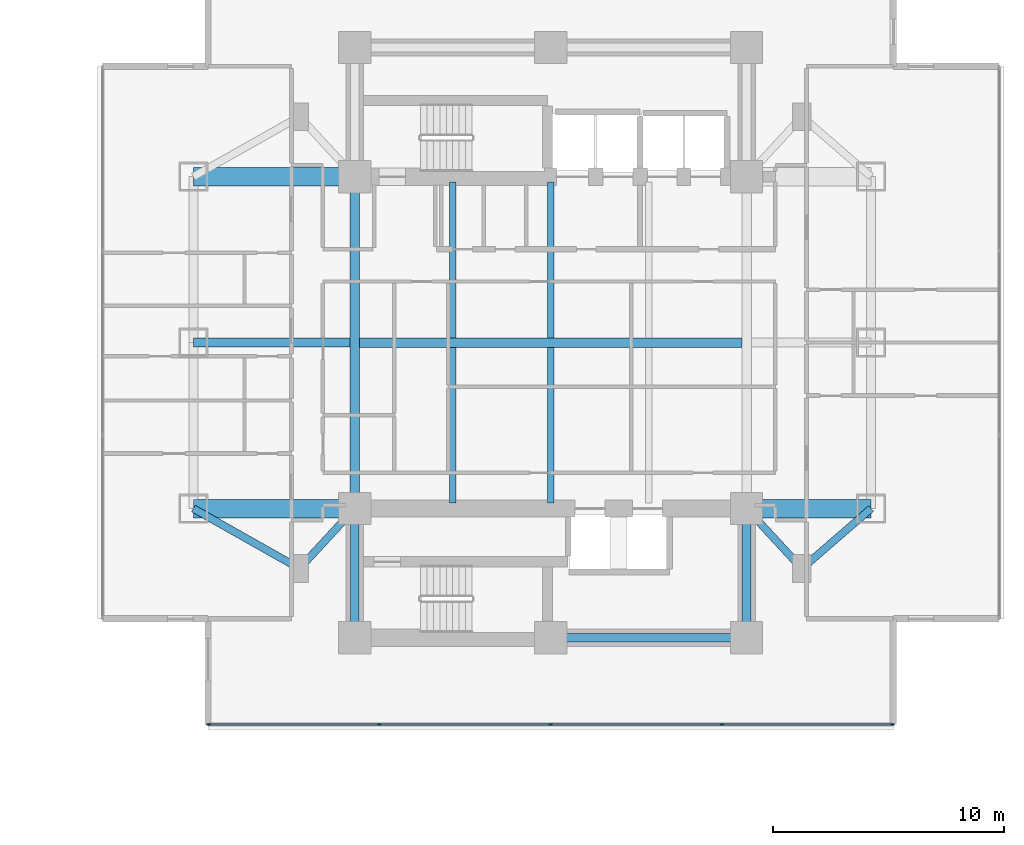
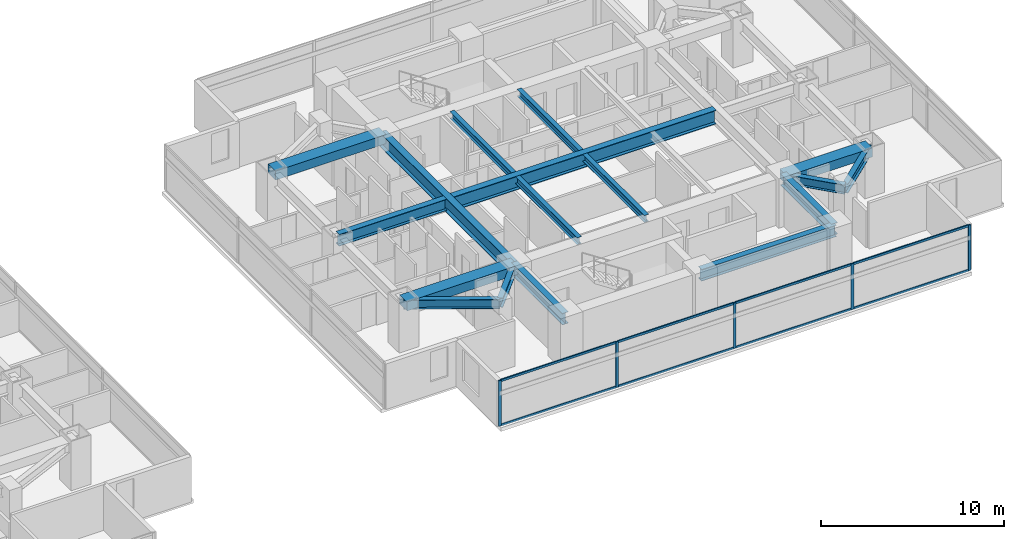
# One storey, part 9 of 26: 17 beams, 13 members, 1 element without a shape of its own.
"""IFC4 building model written with IfcOpenShell, lengths in metres."""

import ifcopenshell
import ifcopenshell.guid

model = None  # the IFC model being written
_history = None  # IfcOwnerHistory: only IFC2X3 demands one
_inside = {}  # id of a spatial element -> (the spatial element, [elements in it])
_under = {}  # id of a project, library or spatial element -> (it, [spatial elements below it])
_declared = {}  # id of a project -> (the project, [libraries it declares])
_typed = {}  # id of a type object -> (the type object, [elements of that type])
_made_of = {}  # id of a material, layer set ... -> (it, [elements and type objects made of it])


def new_model(schema):
    """Start an empty IFC model of exactly this schema.

    Asked for "IFC4X3", IfcOpenShell would pick the latest addendum, in which some entities
    have other attributes; the version numbers below select the first issue.
    IFC2X3 requires an IfcOwnerHistory on every rooted entity: one is made here for all.
    """
    global model, _history
    if schema == "IFC4X3":
        model = ifcopenshell.file(schema_version=(4, 3, 0, 0))
    else:
        model = ifcopenshell.file(schema=schema)
    _inside.clear()
    _under.clear()
    _declared.clear()
    _typed.clear()
    _made_of.clear()
    _history = None
    if model.schema == "IFC2X3":
        org = make("IfcOrganization", Name="unknown")
        user = make(
            "IfcPersonAndOrganization",
            ThePerson=make("IfcPerson", FamilyName="unknown"),
            TheOrganization=org,
        )
        app = make(
            "IfcApplication",
            ApplicationDeveloper=org,
            Version="unknown",
            ApplicationFullName="unknown",
            ApplicationIdentifier="unknown",
        )
        _history = make(
            "IfcOwnerHistory",
            OwningUser=user,
            OwningApplication=app,
            ChangeAction="ADDED",
            CreationDate=0,
        )
    return model


def make(cls, **values):
    """One entity of the class cls with the attributes given. An attribute that is None is left unset."""
    return model.create_entity(
        cls, **{name: value for name, value in values.items() if value is not None}
    )


def rooted(cls, **values):
    """An entity with a GlobalId (a new one), such as an element, a storey or a relation."""
    return make(cls, GlobalId=ifcopenshell.guid.new(), OwnerHistory=_history, **values)


def si_unit(unit_type, name, prefix=None):
    """IfcSIUnit, for example si_unit("LENGTHUNIT", "METRE", prefix="MILLI")."""
    return make("IfcSIUnit", UnitType=unit_type, Prefix=prefix, Name=name)


def assignment(units):
    """IfcUnitAssignment: the units of a project."""
    return None if units is None else make("IfcUnitAssignment", Units=units)


def point(xyz):
    """IfcCartesianPoint."""
    return None if xyz is None else make("IfcCartesianPoint", Coordinates=xyz)


def direction(xyz):
    """IfcDirection."""
    return None if xyz is None else make("IfcDirection", DirectionRatios=xyz)


def frame(location, z_axis=None, x_axis=None):
    """IfcAxis2Placement3D, a coordinate frame: its origin and axes. An axis left out is left unset."""
    return make(
        "IfcAxis2Placement3D",
        Location=point(location),
        Axis=direction(z_axis),
        RefDirection=direction(x_axis),
    )


def frame_2d(location, x_axis=None):
    """IfcAxis2Placement2D, a coordinate frame in the plane: its origin and x axis."""
    return make(
        "IfcAxis2Placement2D", Location=point(location), RefDirection=direction(x_axis)
    )


def origin():
    """The frame at (0, 0, 0) with its axes left unset."""
    return frame((0.0, 0.0, 0.0))


def origin_2d():
    """The frame at (0, 0) in the plane with its x axis left unset."""
    return frame_2d((0.0, 0.0))


def place(relative_to, where):
    """IfcLocalPlacement: puts the frame where relative to a parent placement (None: the world)."""
    return make(
        "IfcLocalPlacement", PlacementRelTo=relative_to, RelativePlacement=where
    )


def context(
    kind, dimensions, precision=None, world=None, true_north=None, identifier=None
):
    """IfcGeometricRepresentationContext, for example the 3D "Model" context."""
    return make(
        "IfcGeometricRepresentationContext",
        ContextIdentifier=identifier,
        ContextType=kind,
        CoordinateSpaceDimension=dimensions,
        Precision=precision,
        WorldCoordinateSystem=world,
        TrueNorth=true_north,
    )


def subcontext(parent, identifier, kind, view, scale=None):
    """IfcGeometricRepresentationSubContext, for example "Body" below "Model"."""
    return make(
        "IfcGeometricRepresentationSubContext",
        ContextIdentifier=identifier,
        ContextType=kind,
        ParentContext=parent,
        TargetScale=scale,
        TargetView=view,
    )


def project(units=None, contexts=None):
    """IfcProject with its units and contexts."""
    return rooted(
        "IfcProject",
        Name="project",
        RepresentationContexts=contexts,
        UnitsInContext=assignment(units),
    )


def spatial(cls, under=None, at=None, **own):
    """A site, building, storey or space (cls), placed at a placement, below another one or the project."""
    s = rooted(cls, ObjectPlacement=at, **own)
    if under is not None:
        _under.setdefault(under.id(), (under, []))[1].append(s)
    return s


def profile(cls, at=None, kind="AREA", **sizes):
    """A parametric profile (cls). Its sizes go by their IFC names, for example OverallWidth=200.0."""
    return make(cls, ProfileType=kind, Position=at, **sizes)


def rectangle(**sizes):
    """IfcRectangleProfileDef."""
    return profile("IfcRectangleProfileDef", **sizes)


def i_section(**sizes):
    """IfcIShapeProfileDef."""
    return profile("IfcIShapeProfileDef", **sizes)


def extrude(swept, where, along, depth):
    """IfcExtrudedAreaSolid: the profile swept, set in the frame where, extruded along a direction by depth."""
    return make(
        "IfcExtrudedAreaSolid",
        SweptArea=swept,
        Position=where,
        ExtrudedDirection=direction(along),
        Depth=depth,
    )


def shape(context_of_items, identifier, shape_type, items):
    """IfcShapeRepresentation: the items that make up one representation, for example the "Body"."""
    return make(
        "IfcShapeRepresentation",
        ContextOfItems=context_of_items,
        RepresentationIdentifier=identifier,
        RepresentationType=shape_type,
        Items=items,
    )


def material(Name=None, Category=None):
    """IfcMaterial."""
    return make("IfcMaterial", Name=Name, Category=Category)


def material_profile(
    of_material, cross_section, Name=None, Category=None, Priority=None
):
    """IfcMaterialProfile: a cross section and its material."""
    return make(
        "IfcMaterialProfile",
        Name=Name,
        Material=of_material,
        Profile=cross_section,
        Priority=Priority,
        Category=Category,
    )


def profile_set(profiles, Name=None, composite=None):
    """IfcMaterialProfileSet."""
    return make(
        "IfcMaterialProfileSet",
        Name=Name,
        MaterialProfiles=profiles,
        CompositeProfile=composite,
    )


def made_of(thing, what):
    """Note that an element or type object is made of a material, layer set ...; save() writes the relation."""
    if what is not None:
        _made_of.setdefault(what.id(), (what, []))[1].append(thing)
    return thing


def type_object(cls, material=None, **own):
    """A type object (cls), such as IfcWallType, which elements share."""
    return made_of(rooted(cls, **own), material)


def element(
    cls,
    number,
    at=None,
    inside=None,
    cuts=None,
    type_object=None,
    material=None,
    context=None,
    identifier="Body",
    shape_type=None,
    held_by="IfcProductDefinitionShape",
    body=None,
    shapes=None,
    **own,
):
    """One element of the class cls, such as IfcWall. Its Tag is "e" and its number.

    at: its placement. inside: the storey or other place that contains it. cuts: it is an
    opening in that element (IfcRelVoidsElement). A single representation is given by context,
    identifier, shape_type and body (its items); several are given by shapes. held_by: the class
    of the entity that holds the representations. save() writes the other relations.
    """
    e = rooted(cls, Tag="e%d" % number, ObjectPlacement=at, **own)
    if body is not None:
        shapes = [shape(context, identifier, shape_type, body)]
    if shapes is not None:
        e.Representation = make(held_by, Representations=shapes)
    if inside is not None:
        _inside.setdefault(inside.id(), (inside, []))[1].append(e)
    if cuts is not None:
        rooted(
            "IfcRelVoidsElement", RelatingBuildingElement=cuts, RelatedOpeningElement=e
        )
    if type_object is not None:
        _typed.setdefault(type_object.id(), (type_object, []))[1].append(e)
    return made_of(e, material)


def aggregate(whole, parts):
    """IfcRelAggregates: a whole, such as a stair, and the parts it consists of."""
    return rooted("IfcRelAggregates", RelatingObject=whole, RelatedObjects=parts)


def save(model, path):
    """Write the relations noted so far, then the file.

    IfcRelAggregates (storeys below a building ...), IfcRelContainedInSpatialStructure (elements
    in a storey), IfcRelDefinesByType, IfcRelAssociatesMaterial and IfcRelDeclares: one each for
    every whole, place, type object, material and project.
    """
    for whole, parts in _under.values():
        aggregate(whole, parts)
    for where, things in _inside.values():
        rooted(
            "IfcRelContainedInSpatialStructure",
            RelatedElements=things,
            RelatingStructure=where,
        )
    for kind, things in _typed.values():
        rooted("IfcRelDefinesByType", RelatedObjects=things, RelatingType=kind)
    for what, things in _made_of.values():
        rooted("IfcRelAssociatesMaterial", RelatedObjects=things, RelatingMaterial=what)
    for by, libraries in _declared.values():
        rooted("IfcRelDeclares", RelatingContext=by, RelatedDefinitions=libraries)
    model.write(path)


model = new_model("IFC4")

# Units and contexts
model_context = context("Model", 3, precision=1e-05, world=origin(), true_north=direction((0.0, 1.0)))
body_context = subcontext(model_context, "Body", "Model", "MODEL_VIEW")
ifc_project = project(units=[si_unit("LENGTHUNIT", "METRE"), si_unit("AREAUNIT", "SQUARE_METRE"), si_unit("VOLUMEUNIT", "CUBIC_METRE"), si_unit("PLANEANGLEUNIT", "RADIAN"), si_unit("MASSUNIT", "GRAM", prefix="KILO")], contexts=[model_context])

# Site, building, storey
site_placement = place(None, origin())
site = spatial("IfcSite", under=ifc_project, at=site_placement, CompositionType="ELEMENT")
building_placement = place(site_placement, origin())
building = spatial("IfcBuilding", under=site, at=building_placement, Name="Mirazonda Arch Towers", CompositionType="ELEMENT")
storey_placement = place(building_placement, frame((0.0, 0.0, 45.5)))
storey = spatial("IfcBuildingStorey", under=building, at=storey_placement, Name="L12", CompositionType="ELEMENT", Elevation=45.5)

# Beams
ifc_material_1 = material(Name="Steel ASTM A992 Grade 50", Category="steel")
ifc_material_profile_1 = material_profile(ifc_material_1, i_section(OverallWidth=0.280029296875, OverallDepth=0.462890625, WebThickness=0.0107421875, FlangeThickness=0.017333984375, at=origin_2d()), Name="W18X76")
ifc_profile_set_1 = profile_set([ifc_material_profile_1], Name="Steel ASTM A992 Grade 50")
beam_type_1 = type_object("IfcBeamType", Name="BM-INT-W18X76", PredefinedType="JOIST", material=ifc_profile_set_1)
for number, where, z_axis, x_axis, name in (
    (1, (72.25, 21.0400390625, 2.82861328125), (0.0, 1.0, 0.0), (-1.0, 0.0, 0.0), "L12 Floor Beam BM-T2-L12-J-722-20"),
    (2, (72.25, 28.205078125, 2.82861328125), (0.0, 1.0, 0.0), (-1.0, 0.0, 0.0), "L12 Floor Beam BM-T2-L12-J-722-28"),
    (3, (76.5, 21.0400390625, 2.82861328125), (0.0, 1.0, 0.0), (-1.0, 0.0, 0.0), "L12 Floor Beam BM-T2-L12-J-765-20"),
    (4, (76.5, 28.205078125, 2.82861328125), (0.0, 1.0, 0.0), (-1.0, 0.0, 0.0), "L12 Floor Beam BM-T2-L12-J-765-28"),
):
    element("IfcBeam", number, at=place(storey_placement, frame(where, z_axis=z_axis, x_axis=x_axis)), inside=storey, type_object=beam_type_1, Name=name, PredefinedType="JOIST", context=body_context, shape_type="SweptSolid", body=[
        extrude(i_section(OverallWidth=0.280029296875, OverallDepth=0.462890625, WebThickness=0.0107421875, FlangeThickness=0.017333984375, at=origin_2d()), origin(), (0.0, 0.0, 1.0), 6.7548828125),
    ])
ifc_material_profile_2 = material_profile(ifc_material_1, i_section(OverallWidth=0.324951171875, OverallDepth=0.615966796875, WebThickness=0.013916015625, FlangeThickness=0.021484375, at=origin_2d()), Name="W24X117")
ifc_profile_set_2 = profile_set([ifc_material_profile_2], Name="Steel ASTM A992 Grade 50")
beam_type_2 = type_object("IfcBeamType", Name="BM-INT-W24X117", PredefinedType="BEAM", material=ifc_profile_set_2)
beam_1_placement = place(storey_placement, frame((65.60009765625, 18.199951171875, 2.751953125), z_axis=(0.678251444854, 0.734829897019, 0.0), x_axis=(-0.734829897019, 0.678251444854, 0.0)))
element("IfcBeam", 5, at=beam_1_placement, inside=storey, type_object=beam_type_2, Name="L12 Floor Beam BM-T2-L12-PL-SW1", PredefinedType="BEAM", context=body_context, shape_type="SweptSolid", body=[
    extrude(i_section(OverallWidth=0.324951171875, OverallDepth=0.615966796875, WebThickness=0.013916015625, FlangeThickness=0.021484375, at=origin_2d()), origin(), (0.0, 0.0, 1.0), 3.538330078125),
])
beam_2_placement = place(storey_placement, frame((65.60009765625, 18.199951171875, 2.751953125), z_axis=(-0.870559396632, 0.492063346467, 0.0), x_axis=(-0.492063346467, -0.870559396632, 0.0)))
element("IfcBeam", 6, at=beam_2_placement, inside=storey, type_object=beam_type_2, Name="L12 Floor Beam BM-T2-L12-PL-SW2", PredefinedType="BEAM", context=body_context, shape_type="SweptSolid", body=[
    extrude(i_section(OverallWidth=0.324951171875, OverallDepth=0.615966796875, WebThickness=0.013916015625, FlangeThickness=0.021484375, at=origin_2d()), origin(), (0.0, 0.0, 1.0), 5.2841796875),
])
beam_3_placement = place(storey_placement, frame((87.39990234375, 18.199951171875, 2.751953125), z_axis=(-0.678251444854, 0.734829897019, 0.0), x_axis=(-0.734829897019, -0.678251444854, 0.0)))
element("IfcBeam", 7, at=beam_3_placement, inside=storey, type_object=beam_type_2, Name="L12 Floor Beam BM-T2-L12-PL-SE1", PredefinedType="BEAM", context=body_context, shape_type="SweptSolid", body=[
    extrude(i_section(OverallWidth=0.324951171875, OverallDepth=0.615966796875, WebThickness=0.013916015625, FlangeThickness=0.021484375, at=origin_2d()), origin(), (0.0, 0.0, 1.0), 3.538330078125),
])
beam_4_placement = place(storey_placement, frame((87.39990234375, 18.199951171875, 2.751953125), z_axis=(0.755676908098, 0.654944585876, 0.0), x_axis=(-0.654944585876, 0.755676908098, 0.0)))
element("IfcBeam", 8, at=beam_4_placement, inside=storey, type_object=beam_type_2, Name="L12 Floor Beam BM-T2-L12-PL-SE2", PredefinedType="BEAM", context=body_context, shape_type="SweptSolid", body=[
    extrude(i_section(OverallWidth=0.324951171875, OverallDepth=0.615966796875, WebThickness=0.013916015625, FlangeThickness=0.021484375, at=origin_2d()), origin(), (0.0, 0.0, 1.0), 3.969970703125),
])
ifc_material_profile_3 = material_profile(ifc_material_1, i_section(OverallWidth=0.381103515625, OverallDepth=0.77294921875, WebThickness=0.0166015625, FlangeThickness=0.027099609375, at=origin_2d()), Name="W30X173")
ifc_profile_set_3 = profile_set([ifc_material_profile_3], Name="Steel ASTM A992 Grade 50")
beam_type_3 = type_object("IfcBeamType", Name="BM-INT-W30X173", PredefinedType="USERDEFINED", material=ifc_profile_set_3)
beam_5_placement = place(storey_placement, frame((76.5, 15.199951171875, 2.673583984375), z_axis=(1.0, 0.0, 0.0), x_axis=(0.0, 1.0, 0.0)))
element("IfcBeam", 9, at=beam_5_placement, inside=storey, type_object=beam_type_3, Name="L12 Floor Beam BM-T2-L12-CS2", ObjectType="GIRDER", PredefinedType="USERDEFINED", context=body_context, shape_type="SweptSolid", body=[
    extrude(i_section(OverallWidth=0.381103515625, OverallDepth=0.77294921875, WebThickness=0.0166015625, FlangeThickness=0.027099609375, at=origin_2d()), origin(), (0.0, 0.0, 1.0), 8.5),
])
for number, where, z_axis, x_axis, name in (
    (10, (68.0, 15.199951171875, 2.673583984375), (0.0, 1.0, 0.0), (-1.0, 0.0, 0.0), "L12 Floor Beam BM-T2-L12-CSW"),
    (11, (85.0, 15.199951171875, 2.673583984375), (0.0, 1.0, 0.0), (-1.0, 0.0, 0.0), "L12 Floor Beam BM-T2-L12-CSE"),
):
    element("IfcBeam", number, at=place(storey_placement, frame(where, z_axis=z_axis, x_axis=x_axis)), inside=storey, type_object=beam_type_3, Name=name, ObjectType="GIRDER", PredefinedType="USERDEFINED", context=body_context, shape_type="SweptSolid", body=[
        extrude(i_section(OverallWidth=0.381103515625, OverallDepth=0.77294921875, WebThickness=0.0166015625, FlangeThickness=0.027099609375, at=origin_2d()), origin(), (0.0, 0.0, 1.0), 5.60009765625),
    ])
beam_6_placement = place(storey_placement, frame((61.0, 28.0, 2.673583984375), z_axis=(1.0, 0.0, 0.0), x_axis=(0.0, 1.0, 0.0)))
element("IfcBeam", 12, at=beam_6_placement, inside=storey, type_object=beam_type_3, Name="L12 Floor Beam BM-T2-L12-GW2", ObjectType="GIRDER", PredefinedType="USERDEFINED", context=body_context, shape_type="SweptSolid", body=[
    extrude(i_section(OverallWidth=0.381103515625, OverallDepth=0.77294921875, WebThickness=0.0166015625, FlangeThickness=0.027099609375, at=origin_2d()), origin(), (0.0, 0.0, 1.0), 6.791015625),
])
ifc_material_profile_4 = material_profile(ifc_material_1, i_section(OverallWidth=0.41796875, OverallDepth=0.927001953125, WebThickness=0.019287109375, FlangeThickness=0.031982421875, at=origin_2d()), Name="W36X231")
ifc_profile_set_4 = profile_set([ifc_material_profile_4], Name="Steel ASTM A992 Grade 50")
beam_type_4 = type_object("IfcBeamType", Name="BM-INT-W36X231", PredefinedType="USERDEFINED", material=ifc_profile_set_4)
beam_7_placement = place(storey_placement, frame((68.208984375, 28.0, 2.596435546875), z_axis=(1.0, 0.0, 0.0), x_axis=(0.0, 1.0, 0.0)))
element("IfcBeam", 13, at=beam_7_placement, inside=storey, type_object=beam_type_4, Name="L12 Floor Beam BM-T2-L12-GC2", ObjectType="GIRDER", PredefinedType="USERDEFINED", context=body_context, shape_type="SweptSolid", body=[
    extrude(i_section(OverallWidth=0.41796875, OverallDepth=0.927001953125, WebThickness=0.019287109375, FlangeThickness=0.031982421875, at=origin_2d()), origin(), (0.0, 0.0, 1.0), 16.58203125),
])
beam_8_placement = place(storey_placement, frame((68.0, 20.800048828125, 2.596435546875), z_axis=(0.0, 1.0, 0.0), x_axis=(-1.0, 0.0, 0.0)))
element("IfcBeam", 14, at=beam_8_placement, inside=storey, type_object=beam_type_4, Name="L12 Floor Beam BM-T2-L12-NS-CW-FULL", ObjectType="GIRDER", PredefinedType="USERDEFINED", context=body_context, shape_type="SweptSolid", body=[
    extrude(i_section(OverallWidth=0.41796875, OverallDepth=0.927001953125, WebThickness=0.019287109375, FlangeThickness=0.031982421875, at=origin_2d()), origin(), (0.0, 0.0, 1.0), 14.39990234375),
])
ifc_material_2 = material(Name="Concrete C60/75", Category="concrete")
ifc_material_profile_5 = material_profile(ifc_material_2, rectangle(XDim=0.800048828125, YDim=0.60009765625, at=origin_2d()), Name="RCCB800x600")
ifc_profile_set_5 = profile_set([ifc_material_profile_5], Name="Concrete C60/75")
beam_type_5 = type_object("IfcBeamType", Name="CB-INT-RCCB800x600", PredefinedType="SPANDREL", material=ifc_profile_set_5)
for number, where, z_axis, x_axis, name in (
    (15, (61.0, 35.199951171875, 2.760009765625), (1.0, 0.0, 0.0), (0.0, 1.0, 0.0), "L12 Floor Beam CBC-T2-L12-NW"),
    (16, (61.0, 20.800048828125, 2.760009765625), (1.0, 0.0, 0.0), (0.0, 1.0, 0.0), "L12 Floor Beam CBC-T2-L12-SW"),
):
    element("IfcBeam", number, at=place(storey_placement, frame(where, z_axis=z_axis, x_axis=x_axis)), inside=storey, type_object=beam_type_5, Name=name, PredefinedType="SPANDREL", context=body_context, shape_type="SweptSolid", body=[
        extrude(rectangle(XDim=0.800048828125, YDim=0.60009765625, at=origin_2d()), origin(), (0.0, 0.0, 1.0), 7.0),
    ])
beam_9_placement = place(storey_placement, frame((85.0, 20.800048828125, 2.760009765625), z_axis=(1.0, 0.0, 0.0), x_axis=(0.0, 1.0, 0.0)))
element("IfcBeam", 17, at=beam_9_placement, inside=storey, type_object=beam_type_5, Name="L12 Floor Beam CBC-T2-L12-SE", PredefinedType="SPANDREL", context=body_context, shape_type="SweptSolid", body=[
    extrude(rectangle(XDim=0.800048828125, YDim=0.60009765625, at=origin_2d()), origin(), (0.0, 0.0, 1.0), 5.39990234375),
])

# Curtain wall, members
ifc_material_3 = material(Name="Anodised Aluminium and Low-E Glass", Category="aluminium")
curtain_wall_type = type_object("IfcCurtainWallType", Name="CW-HTL-UNIT", PredefinedType="NOTDEFINED", material=ifc_material_3)
curtain_wall_placement = place(storey_placement, origin())
curtain_wall = element("IfcCurtainWall", 18, at=curtain_wall_placement, inside=storey, type_object=curtain_wall_type, Name="L12 T2 S Facade CW-L12-T2-S", PredefinedType="NOTDEFINED")
ifc_material_4 = material(Name="Anodised Aluminium Alloy", Category="aluminium")
ifc_material_profile_6 = material_profile(ifc_material_4, rectangle(XDim=0.074951171875, YDim=0.1650390625, at=origin_2d()), Name="ALU-MULL-75x165")
ifc_profile_set_6 = profile_set([ifc_material_profile_6], Name="Anodised Aluminium Alloy")
member_type_1 = type_object("IfcMemberType", Name="MULL-CW-HTL-UNIT", PredefinedType="MULLION", material=ifc_profile_set_6)
member_1_placement = place(storey_placement, frame((91.32861328125, 11.43701171875, 0.0), z_axis=(0.0, 0.0, 1.0), x_axis=(0.0, -1.0, 0.0)))
member_1 = element("IfcMember", 19, at=member_1_placement, type_object=member_type_1, Name="CW-112 mullion 1", PredefinedType="MULLION", context=body_context, shape_type="SweptSolid", body=[
    extrude(rectangle(XDim=0.074951171875, YDim=0.1650390625, at=origin_2d()), origin(), (0.0, 0.0, 1.0), 3.0400390625),
])
member_2_placement = place(storey_placement, frame((83.93310546875, 11.43701171875, 0.0), z_axis=(0.0, 0.0, 1.0), x_axis=(0.0, -1.0, 0.0)))
member_2 = element("IfcMember", 20, at=member_2_placement, type_object=member_type_1, Name="CW-112 mullion 2", PredefinedType="MULLION", context=body_context, shape_type="SweptSolid", body=[
    extrude(rectangle(XDim=0.074951171875, YDim=0.1650390625, at=origin_2d()), origin(), (0.0, 0.0, 1.0), 3.0400390625),
])
member_3_placement = place(storey_placement, frame((76.5, 11.43701171875, 0.0), z_axis=(0.0, 0.0, 1.0), x_axis=(0.0, -1.0, 0.0)))
member_3 = element("IfcMember", 21, at=member_3_placement, type_object=member_type_1, Name="CW-112 mullion 3", PredefinedType="MULLION", context=body_context, shape_type="SweptSolid", body=[
    extrude(rectangle(XDim=0.074951171875, YDim=0.1650390625, at=origin_2d()), origin(), (0.0, 0.0, 1.0), 3.0400390625),
])
member_4_placement = place(storey_placement, frame((69.06689453125, 11.43701171875, 0.0), z_axis=(0.0, 0.0, 1.0), x_axis=(0.0, -1.0, 0.0)))
member_4 = element("IfcMember", 22, at=member_4_placement, type_object=member_type_1, Name="CW-112 mullion 4", PredefinedType="MULLION", context=body_context, shape_type="SweptSolid", body=[
    extrude(rectangle(XDim=0.074951171875, YDim=0.1650390625, at=origin_2d()), origin(), (0.0, 0.0, 1.0), 3.0400390625),
])
member_5_placement = place(storey_placement, frame((61.67138671875, 11.43701171875, 0.0), z_axis=(0.0, 0.0, 1.0), x_axis=(0.0, -1.0, 0.0)))
member_5 = element("IfcMember", 23, at=member_5_placement, type_object=member_type_1, Name="CW-112 mullion 5", PredefinedType="MULLION", context=body_context, shape_type="SweptSolid", body=[
    extrude(rectangle(XDim=0.074951171875, YDim=0.1650390625, at=origin_2d()), origin(), (0.0, 0.0, 1.0), 3.0400390625),
])
ifc_material_profile_7 = material_profile(ifc_material_4, rectangle(XDim=0.074951171875, YDim=0.14501953125, at=origin_2d()), Name="ALU-TRAN-75x145")
ifc_profile_set_7 = profile_set([ifc_material_profile_7], Name="Anodised Aluminium Alloy")
member_type_2 = type_object("IfcMemberType", Name="TRAN-CW-HTL-UNIT", PredefinedType="USERDEFINED", material=ifc_profile_set_7)
member_6_placement = place(storey_placement, frame((91.291015625, 11.43701171875, 0.03759765625), z_axis=(-1.0, 0.0, 0.0), x_axis=(0.0, -1.0, 0.0)))
member_6 = element("IfcMember", 24, at=member_6_placement, type_object=member_type_2, Name="CW-112 transom 1.1", ObjectType="TRANSOM", PredefinedType="USERDEFINED", context=body_context, shape_type="SweptSolid", body=[
    extrude(rectangle(XDim=0.074951171875, YDim=0.14501953125, at=origin_2d()), origin(), (0.0, 0.0, 1.0), 7.320556640625),
])
member_7_placement = place(storey_placement, frame((91.291015625, 11.43701171875, 3.00244140625), z_axis=(-1.0, 0.0, 0.0), x_axis=(0.0, -1.0, 0.0)))
member_7 = element("IfcMember", 25, at=member_7_placement, type_object=member_type_2, Name="CW-112 transom 1.2", ObjectType="TRANSOM", PredefinedType="USERDEFINED", context=body_context, shape_type="SweptSolid", body=[
    extrude(rectangle(XDim=0.074951171875, YDim=0.14501953125, at=origin_2d()), origin(), (0.0, 0.0, 1.0), 7.320556640625),
])
member_8_placement = place(storey_placement, frame((83.8955078125, 11.43701171875, 0.03759765625), z_axis=(-1.0, 0.0, 0.0), x_axis=(0.0, -1.0, 0.0)))
member_8 = element("IfcMember", 26, at=member_8_placement, type_object=member_type_2, Name="CW-112 transom 2.1", ObjectType="TRANSOM", PredefinedType="USERDEFINED", context=body_context, shape_type="SweptSolid", body=[
    extrude(rectangle(XDim=0.074951171875, YDim=0.14501953125, at=origin_2d()), origin(), (0.0, 0.0, 1.0), 7.35791015625),
])
member_9_placement = place(storey_placement, frame((83.8955078125, 11.43701171875, 3.00244140625), z_axis=(-1.0, 0.0, 0.0), x_axis=(0.0, -1.0, 0.0)))
member_9 = element("IfcMember", 27, at=member_9_placement, type_object=member_type_2, Name="CW-112 transom 2.2", ObjectType="TRANSOM", PredefinedType="USERDEFINED", context=body_context, shape_type="SweptSolid", body=[
    extrude(rectangle(XDim=0.074951171875, YDim=0.14501953125, at=origin_2d()), origin(), (0.0, 0.0, 1.0), 7.35791015625),
])
member_10_placement = place(storey_placement, frame((76.46240234375, 11.43701171875, 0.03759765625), z_axis=(-1.0, 0.0, 0.0), x_axis=(0.0, -1.0, 0.0)))
member_10 = element("IfcMember", 28, at=member_10_placement, type_object=member_type_2, Name="CW-112 transom 3.1", ObjectType="TRANSOM", PredefinedType="USERDEFINED", context=body_context, shape_type="SweptSolid", body=[
    extrude(rectangle(XDim=0.074951171875, YDim=0.14501953125, at=origin_2d()), origin(), (0.0, 0.0, 1.0), 7.35791015625),
])
member_11_placement = place(storey_placement, frame((76.46240234375, 11.43701171875, 3.00244140625), z_axis=(-1.0, 0.0, 0.0), x_axis=(0.0, -1.0, 0.0)))
member_11 = element("IfcMember", 29, at=member_11_placement, type_object=member_type_2, Name="CW-112 transom 3.2", ObjectType="TRANSOM", PredefinedType="USERDEFINED", context=body_context, shape_type="SweptSolid", body=[
    extrude(rectangle(XDim=0.074951171875, YDim=0.14501953125, at=origin_2d()), origin(), (0.0, 0.0, 1.0), 7.35791015625),
])
member_12_placement = place(storey_placement, frame((69.029541015625, 11.43701171875, 0.03759765625), z_axis=(-1.0, 0.0, 0.0), x_axis=(0.0, -1.0, 0.0)))
member_12 = element("IfcMember", 30, at=member_12_placement, type_object=member_type_2, Name="CW-112 transom 4.1", ObjectType="TRANSOM", PredefinedType="USERDEFINED", context=body_context, shape_type="SweptSolid", body=[
    extrude(rectangle(XDim=0.074951171875, YDim=0.14501953125, at=origin_2d()), origin(), (0.0, 0.0, 1.0), 7.320556640625),
])
member_13_placement = place(storey_placement, frame((69.029541015625, 11.43701171875, 3.00244140625), z_axis=(-1.0, 0.0, 0.0), x_axis=(0.0, -1.0, 0.0)))
member_13 = element("IfcMember", 31, at=member_13_placement, type_object=member_type_2, Name="CW-112 transom 4.2", ObjectType="TRANSOM", PredefinedType="USERDEFINED", context=body_context, shape_type="SweptSolid", body=[
    extrude(rectangle(XDim=0.074951171875, YDim=0.14501953125, at=origin_2d()), origin(), (0.0, 0.0, 1.0), 7.320556640625),
])
aggregate(curtain_wall, [member_1, member_2, member_3, member_4, member_5, member_6, member_7, member_8, member_9, member_10, member_11, member_12, member_13])

save(model, "model.ifc")
